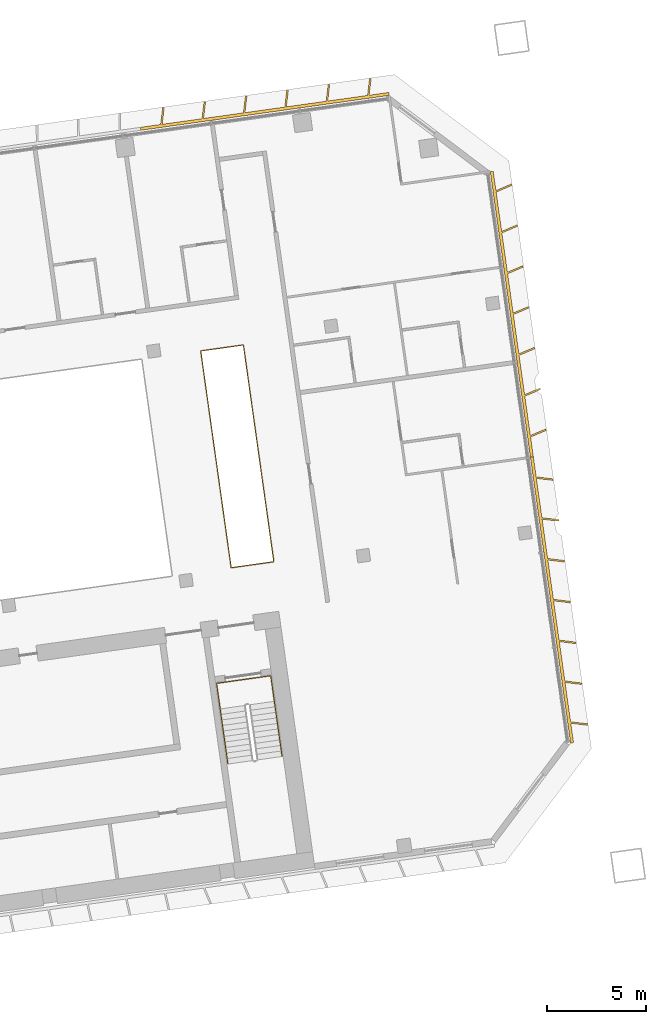
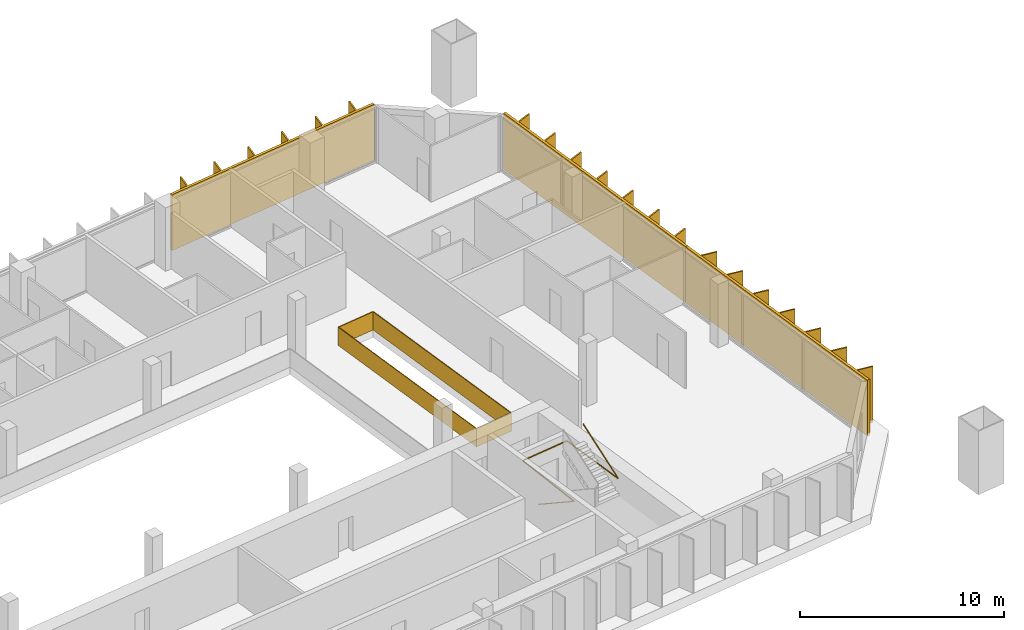
# One storey, part 26 of 26: 3 shading devices, 2 railings.
"""IFC4 building model written with IfcOpenShell, lengths in metres."""

from ifc_helpers import new_model, si_unit, direction, frame, origin, origin_2d, place, context, subcontext, project, spatial, polyline, rectangle, outline, extrude, material, type_object, element, save


model = new_model("IFC4")

# Units and contexts
model_context = context("Model", 3, precision=1e-05, world=origin(), true_north=direction((0.0, 1.0)))
body_context = subcontext(model_context, "Body", "Model", "MODEL_VIEW")
ifc_project = project(units=[si_unit("LENGTHUNIT", "METRE"), si_unit("AREAUNIT", "SQUARE_METRE"), si_unit("VOLUMEUNIT", "CUBIC_METRE"), si_unit("PLANEANGLEUNIT", "RADIAN"), si_unit("MASSUNIT", "GRAM", prefix="KILO")], contexts=[model_context])

# Site, building, storey
site_placement = place(None, origin())
site = spatial("IfcSite", under=ifc_project, at=site_placement, CompositionType="ELEMENT")
building_placement = place(site_placement, origin())
building = spatial("IfcBuilding", under=site, at=building_placement, Name="Mirante Cascada Hotel Towers", CompositionType="ELEMENT")
storey_placement = place(building_placement, frame((0.0, 0.0, 140.5)))
storey = spatial("IfcBuildingStorey", under=building, at=storey_placement, Name="L32", CompositionType="ELEMENT", Elevation=140.5)

# Railings
ifc_material_1 = material(Name="Toughened glass with stainless steel handrail", Category="steel")
railing_type_1 = type_object("IfcRailingType", Name="Atrium guard 1100 glass balustrade", PredefinedType="GUARDRAIL", material=ifc_material_1)
railing_1_placement = place(storey_placement, frame((86.2624, 2.4738, 0.0)))
element("IfcRailing", 1, at=railing_1_placement, inside=storey, type_object=railing_type_1, Name="GUARD 2-L32-3", PredefinedType="GUARDRAIL", context=body_context, shape_type="SweptSolid", body=[
    extrude(rectangle(XDim=0.048, YDim=0.048, at=origin_2d()), frame((0.0, 0.0, 1.076), z_axis=(0.9902724, 0.1391422, 0.0), x_axis=(-0.1391422, 0.9902724, 0.0)), (0.0, 0.0, 1.0), 2.1625),
    extrude(rectangle(XDim=0.02, YDim=1.052, at=origin_2d()), frame((0.0, 0.0, 0.526), z_axis=(0.9902724, 0.1391422, 0.0), x_axis=(-0.1391422, 0.9902724, 0.0)), (0.0, 0.0, 1.0), 2.1625),
    extrude(rectangle(XDim=0.048, YDim=0.048, at=origin_2d()), frame((2.1415, 0.3009, 1.076), z_axis=(-0.1391721, 0.9902682, 0.0), x_axis=(-0.9902682, -0.1391721, 0.0)), (0.0, 0.0, 1.0), 11.0001),
    extrude(rectangle(XDim=0.02, YDim=1.052, at=origin_2d()), frame((2.1415, 0.3009, 0.526), z_axis=(-0.1391721, 0.9902682, 0.0), x_axis=(-0.9902682, -0.1391721, 0.0)), (0.0, 0.0, 1.0), 11.0001),
    extrude(rectangle(XDim=0.048, YDim=0.048, at=origin_2d()), frame((0.6106, 11.1939, 1.076), z_axis=(-0.990266, -0.1391875, 0.0), x_axis=(0.1391875, -0.990266, 0.0)), (0.0, 0.0, 1.0), 2.1626),
    extrude(rectangle(XDim=0.02, YDim=1.052, at=origin_2d()), frame((0.6106, 11.1939, 0.526), z_axis=(-0.990266, -0.1391875, 0.0), x_axis=(0.1391875, -0.990266, 0.0)), (0.0, 0.0, 1.0), 2.1626),
    extrude(rectangle(XDim=0.048, YDim=0.048, at=origin_2d()), frame((-1.5309, 10.8929, 1.076), z_axis=(0.1391733, -0.990268, 0.0), x_axis=(0.990268, 0.1391733, 0.0)), (0.0, 0.0, 1.0), 11.0),
    extrude(rectangle(XDim=0.02, YDim=1.052, at=origin_2d()), frame((-1.5309, 10.8929, 0.526), z_axis=(0.1391733, -0.990268, 0.0), x_axis=(0.990268, 0.1391733, 0.0)), (0.0, 0.0, 1.0), 11.0),
])
ifc_material_2 = material(Name="Painted steel", Category="steel")
railing_type_2 = type_object("IfcRailingType", Name="Stair handrail 900 steel tube", PredefinedType="HANDRAIL", material=ifc_material_2)
railing_2_placement = place(storey_placement, frame((85.7071, -4.6226, 0.1727)))
element("IfcRailing", 2, at=railing_2_placement, inside=storey, type_object=railing_type_2, Name="L32 ST2-C stair handrail 1", PredefinedType="HANDRAIL", context=body_context, shape_type="SweptSolid", body=[
    extrude(rectangle(XDim=0.048, YDim=0.048, at=origin_2d()), frame((0.0, 0.0, 0.876), z_axis=(0.139181, -0.990267, 0.0), x_axis=(0.990267, 0.139181, 0.0)), (0.0, 0.5250347, 0.8510808), 3.2899),
    extrude(rectangle(XDim=0.048, YDim=0.048, at=origin_2d()), frame((0.3897, -2.7727, 2.6033), z_axis=(-0.1391707, 0.9902684, 0.0), x_axis=(-0.9902684, -0.1391707, 0.0)), (0.0, 0.0420846, 0.999114), 4.1036),
    extrude(rectangle(XDim=0.048, YDim=0.048, at=origin_2d()), frame((-0.1809, 1.2874, 2.776), z_axis=(0.9902691, 0.1391657, 0.0), x_axis=(-0.1391657, 0.9902691, 0.0)), (0.0, 0.0, 1.0), 2.75),
    extrude(rectangle(XDim=0.048, YDim=0.048, at=origin_2d()), frame((2.5423, 1.6701, 2.776), z_axis=(0.1391947, -0.990265, 0.0), x_axis=(0.990265, 0.1391947, 0.0)), (0.0, 0.0, 1.0), 4.1),
    extrude(rectangle(XDim=0.048, YDim=0.048, at=origin_2d()), frame((3.113, -2.39, 2.776), z_axis=(-0.139181, 0.990267, 0.0), x_axis=(-0.990267, -0.139181, 0.0)), (0.0, 0.5250347, 0.8510808), 3.2899),
])

# Shading devices
ifc_material_3 = material(Name="White precast concrete C50/60 fin", Category="concrete")
shading_device_type = type_object("IfcShadingDeviceType", Name="Vertical fin set 4500x900", PredefinedType="USERDEFINED", material=ifc_material_3)
shading_device_1_placement = place(storey_placement, origin())
element("IfcShadingDevice", 3, at=shading_device_1_placement, inside=storey, type_object=shading_device_type, Name="FIN T2 L32 front 1", ObjectType="FIN", PredefinedType="USERDEFINED", context=body_context, shape_type="SweptSolid", body=[
    extrude(outline(polyline([(82.8967, 25.5893), (82.7946, 24.758), (84.7922, 25.0387), (84.8968, 25.8913), (84.9762, 25.8815), (84.8742, 25.0503), (86.8717, 25.331), (86.9764, 26.1835), (87.0558, 26.1738), (86.9537, 25.3425), (88.9513, 25.6233), (89.056, 26.4758), (89.1354, 26.4661), (89.0333, 25.6348), (91.0308, 25.9155), (91.1355, 26.7681), (91.2149, 26.7583), (91.1129, 25.9271), (93.1104, 26.2078), (93.2151, 27.0603), (93.2945, 27.0506), (93.1924, 26.2193), (94.1779, 26.3578), (94.1988, 26.2093), (81.7214, 24.4557), (81.7006, 24.6042), (82.7126, 24.7465), (82.8173, 25.599), (82.8967, 25.5893)])), origin(), (0.0, 0.0, 1.0), 3.35),
])
shading_device_2_placement = place(storey_placement, origin())
element("IfcShadingDevice", 4, at=shading_device_2_placement, inside=storey, type_object=shading_device_type, Name="FIN T2 L32 outer 1", ObjectType="FIN", PredefinedType="USERDEFINED", context=body_context, shape_type="SweptSolid", body=[
    extrude(outline(polyline([(104.1606, -5.4483), (103.3293, -5.3462), (103.4659, -6.3175), (103.3173, -6.3384), (101.2993, 8.0205), (101.4478, 8.0413), (101.5881, 7.0434), (102.4406, 6.9388), (102.4309, 6.8594), (101.5996, 6.9614), (101.8764, 4.9922), (102.7289, 4.8875), (102.7192, 4.8081), (101.8879, 4.9102), (102.1647, 2.9409), (103.0172, 2.8362), (103.0075, 2.7568), (102.1762, 2.8589), (102.4529, 0.8896), (103.3055, 0.785), (103.2957, 0.7056), (102.4645, 0.8076), (102.7412, -1.1616), (103.5938, -1.2663), (103.584, -1.3457), (102.7528, -1.2436), (103.0295, -3.2129), (103.8821, -3.3176), (103.8723, -3.397), (103.041, -3.2949), (103.3178, -5.2642), (104.1704, -5.3689), (104.1606, -5.4483)])), origin(), (0.0, 0.0, 1.0), 3.35),
])
shading_device_3_placement = place(storey_placement, origin())
element("IfcShadingDevice", 5, at=shading_device_3_placement, inside=storey, type_object=shading_device_type, Name="FIN T2 L32 outer 2", ObjectType="FIN", PredefinedType="USERDEFINED", context=body_context, shape_type="SweptSolid", body=[
    extrude(outline(polyline([(102.0983, 9.3749), (101.3076, 9.0392), (101.4478, 8.0413), (101.2993, 8.0205), (99.2813, 22.3794), (99.4298, 22.4002), (99.5663, 21.4289), (100.3373, 21.7561), (100.3685, 21.6825), (99.5779, 21.3469), (99.8546, 19.3776), (100.6256, 19.7048), (100.6568, 19.6312), (99.8662, 19.2956), (100.1429, 17.3263), (100.9139, 17.6536), (100.9451, 17.5799), (100.1544, 17.2443), (100.4312, 15.2751), (101.2021, 15.6023), (101.2334, 15.5287), (100.4427, 15.193), (100.7195, 13.2238), (101.4904, 13.551), (101.5217, 13.4774), (100.731, 13.1418), (101.0078, 11.1725), (101.7787, 11.4998), (101.81, 11.4261), (101.0193, 11.0905), (101.2961, 9.1212), (102.067, 9.4485), (102.0983, 9.3749)])), origin(), (0.0, 0.0, 1.0), 3.35),
])

save(model, "model.ifc")
